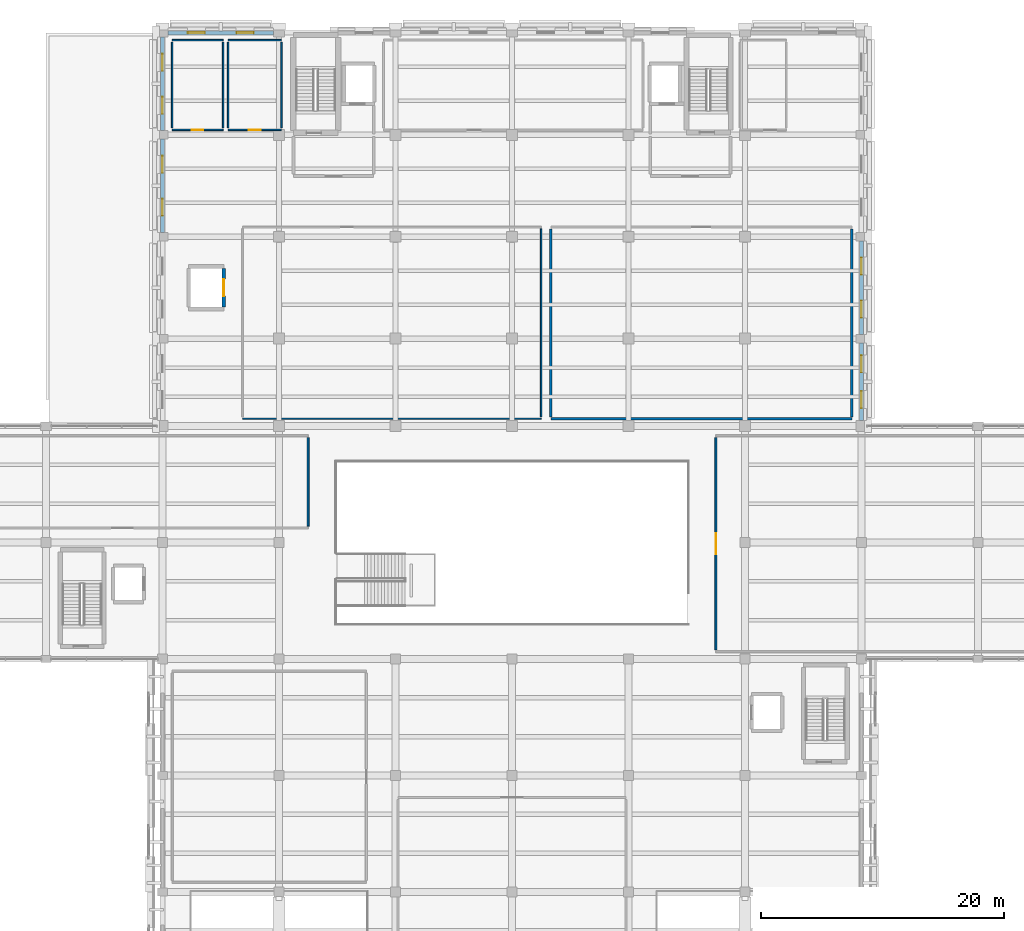
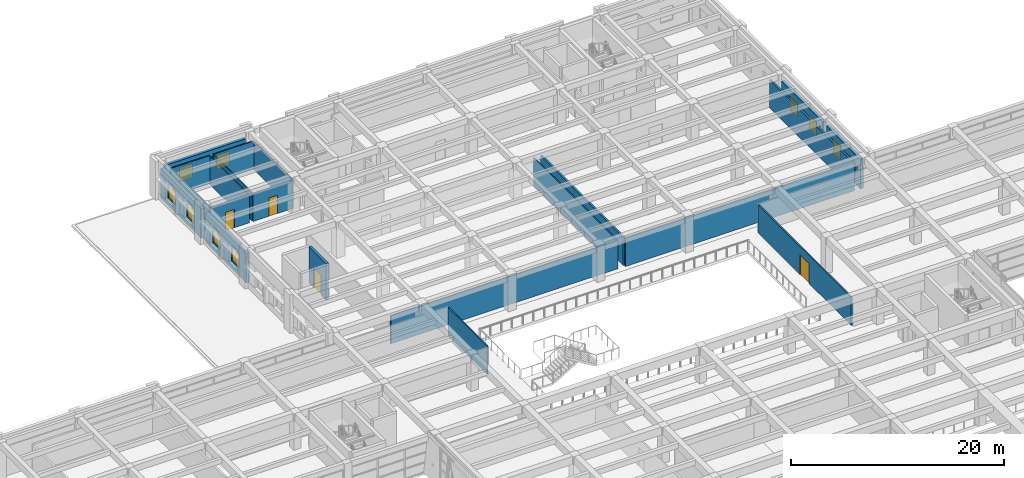
# One storey, part 33 of 49: 21 walls, 10 windows, 4 doors, 14 openings.
"""IFC4 building model written with IfcOpenShell, lengths in metres."""

from ifc_helpers import new_model, si_unit, direction, frame, frame_2d, origin, place, context, subcontext, project, spatial, rectangle, extrude, material, layer, layer_set, type_object, element, fill, save


model = new_model("IFC4")

# Units and contexts
model_context = context("Model", 3, precision=1e-05, world=origin(), true_north=direction((0.0, 1.0)))
body_context = subcontext(model_context, "Body", "Model", "MODEL_VIEW")
ifc_project = project(units=[si_unit("LENGTHUNIT", "METRE"), si_unit("AREAUNIT", "SQUARE_METRE"), si_unit("VOLUMEUNIT", "CUBIC_METRE"), si_unit("PLANEANGLEUNIT", "RADIAN"), si_unit("MASSUNIT", "GRAM", prefix="KILO")], contexts=[model_context])

# Site, building, storey
site_placement = place(None, origin())
site = spatial("IfcSite", under=ifc_project, at=site_placement, CompositionType="ELEMENT")
building_placement = place(site_placement, origin())
building = spatial("IfcBuilding", under=site, at=building_placement, Name="Bempovik Park Faculty of Sciences", CompositionType="ELEMENT")
storey_placement = place(building_placement, frame((0.0, 0.0, 5.39990234375)))
storey = spatial("IfcBuildingStorey", under=building, at=storey_placement, Name="L01", CompositionType="ELEMENT", Elevation=5.39990234375)

# Walls
ifc_material_1 = material(Name="Gypsum acoustic stud assembly")
ifc_layer_1 = layer(ifc_material_1, 0.1201171875)
ifc_layer_set_1 = layer_set([ifc_layer_1], Name="Gypsum acoustic stud assembly")
wall_type_1 = type_object("IfcWallType", Name="W-17 Wall 120mm", PredefinedType="PARTITIONING", material=ifc_layer_set_1)
wall_1_placement = place(storey_placement, frame((66.60009765625, 87.60009765625, 0.0), z_axis=(0.0, 0.0, 1.0), x_axis=(1.0, 0.0, 0.0)))
element("IfcWall", 1, at=wall_1_placement, inside=storey, type_object=wall_type_1, Name="L01 Chemistry Academic Staff Offices Partition South", PredefinedType="PARTITIONING", context=body_context, shape_type="SweptSolid", body=[
    extrude(rectangle(XDim=24.599853515625, YDim=0.1201171875, at=frame_2d((12.2998046875, 0.0))), origin(), (0.0, 0.0, 1.0), 3.22021484375),
])
wall_2_placement = place(storey_placement, frame((91.199951171875, 87.760009765625, 0.0), z_axis=(0.0, 0.0, 1.0), x_axis=(0.0, 1.0, 0.0)))
element("IfcWall", 2, at=wall_2_placement, inside=storey, type_object=wall_type_1, Name="L01 Chemistry Academic Staff Offices Partition East", PredefinedType="PARTITIONING", context=body_context, shape_type="SweptSolid", body=[
    extrude(rectangle(XDim=15.47998046875, YDim=0.1201171875, at=frame_2d((7.739990234375, 0.0))), origin(), (0.0, 0.0, 1.0), 3.22021484375),
])

# Wall, opening, door
wall_3_placement = place(storey_placement, frame((60.800048828125, 111.39990234375, 0.0), z_axis=(0.0, 0.0, 1.0), x_axis=(1.0, 0.0, 0.0)))
wall_3 = element("IfcWall", 3, at=wall_3_placement, inside=storey, type_object=wall_type_1, Name="L01 L01 Male WC Partition South", PredefinedType="PARTITIONING", context=body_context, shape_type="SweptSolid", body=[
    extrude(rectangle(XDim=4.199951171875, YDim=0.1201171875, at=frame_2d((2.10009765625, 0.0))), origin(), (0.0, 0.0, 1.0), 3.22021484375),
])
opening_1_placement = place(wall_3_placement, frame((1.625, 0.0, 0.0)))
opening_1 = element("IfcOpeningElement", 4, at=opening_1_placement, cuts=wall_3, Name="Opening D-56", PredefinedType="OPENING", context=body_context, shape_type="SweptSolid", body=[
    extrude(rectangle(XDim=0.949951171875, YDim=2.10009765625, at=frame_2d((0.47509765625, 1.050048828125))), frame((0.0, 0.070068359375, 0.0), z_axis=(0.0, -1.0, 0.0), x_axis=(1.0, 0.0, 0.0)), (0.0, 0.0, 1.0), 0.14013671875),
])
ifc_material_2 = material(Name="West African hardwood finish", Category="wood")
door_type_1 = type_object("IfcDoorType", Name="D-56 Door 950x2100", OperationType="NOTDEFINED", PredefinedType="DOOR", material=ifc_material_2)
door_1_placement = place(opening_1_placement, origin())
door_1 = element("IfcDoor", 5, at=door_1_placement, inside=storey, type_object=door_type_1, Name="L01 L01 Male WC Door", OperationType="SINGLE_SWING_RIGHT", OverallHeight=2.10009765625, OverallWidth=0.949951171875, PredefinedType="DOOR", context=body_context, shape_type="SweptSolid", body=[
    extrude(rectangle(XDim=0.949951171875, YDim=2.10009765625, at=frame_2d((0.47509765625, 1.050048828125))), frame((0.0, 0.02490234375, 0.0), z_axis=(0.0, -1.0, 0.0), x_axis=(1.0, 0.0, 0.0)), (0.0, 0.0, 1.0), 0.050048828125),
])
fill(opening_1, door_1)

# Walls
wall_4_placement = place(storey_placement, frame((60.800048828125, 118.800048828125, 0.0), z_axis=(0.0, 0.0, 1.0), x_axis=(1.0, 0.0, 0.0)))
element("IfcWall", 6, at=wall_4_placement, inside=storey, type_object=wall_type_1, Name="L01 L01 Male WC Partition North", PredefinedType="PARTITIONING", context=body_context, shape_type="SweptSolid", body=[
    extrude(rectangle(XDim=4.199951171875, YDim=0.1201171875, at=frame_2d((2.10009765625, 0.0))), origin(), (0.0, 0.0, 1.0), 3.22021484375),
])
for number, where, z_axis, x_axis, name in (
    (7, (60.800048828125, 111.56005859375, 0.0), (0.0, 0.0, 1.0), (0.0, 1.0, 0.0), "L01 L01 Male WC Partition West"),
    (8, (65.0, 111.56005859375, 0.0), (0.0, 0.0, 1.0), (0.0, 1.0, 0.0), "L01 L01 Male WC Partition East"),
):
    element("IfcWall", number, at=place(storey_placement, frame(where, z_axis=z_axis, x_axis=x_axis)), inside=storey, type_object=wall_type_1, Name=name, PredefinedType="PARTITIONING", context=body_context, shape_type="SweptSolid", body=[
        extrude(rectangle(XDim=7.079833984375, YDim=0.1201171875, at=frame_2d((3.5400390625, 0.0))), origin(), (0.0, 0.0, 1.0), 3.22021484375),
    ])

# Wall, opening, door
wall_5_placement = place(storey_placement, frame((65.39990234375, 111.39990234375, 0.0), z_axis=(0.0, 0.0, 1.0), x_axis=(1.0, 0.0, 0.0)))
wall_5 = element("IfcWall", 9, at=wall_5_placement, inside=storey, type_object=wall_type_1, Name="L01 L01 Female WC Partition South", PredefinedType="PARTITIONING", context=body_context, shape_type="SweptSolid", body=[
    extrude(rectangle(XDim=4.400146484375, YDim=0.1201171875, at=frame_2d((2.2001953125, 0.0))), origin(), (0.0, 0.0, 1.0), 3.22021484375),
])
opening_2_placement = place(wall_5_placement, frame((1.72509765625, 0.0, 0.0)))
opening_2 = element("IfcOpeningElement", 10, at=opening_2_placement, cuts=wall_5, Name="Opening D-56", PredefinedType="OPENING", context=body_context, shape_type="SweptSolid", body=[
    extrude(rectangle(XDim=0.949951171875, YDim=2.10009765625, at=frame_2d((0.47509765625, 1.050048828125))), frame((0.0, 0.070068359375, 0.0), z_axis=(0.0, -1.0, 0.0), x_axis=(1.0, 0.0, 0.0)), (0.0, 0.0, 1.0), 0.14013671875),
])
door_2_placement = place(opening_2_placement, origin())
door_2 = element("IfcDoor", 11, at=door_2_placement, inside=storey, type_object=door_type_1, Name="L01 L01 Female WC Door", OperationType="SINGLE_SWING_LEFT", OverallHeight=2.10009765625, OverallWidth=0.949951171875, PredefinedType="DOOR", context=body_context, shape_type="SweptSolid", body=[
    extrude(rectangle(XDim=0.949951171875, YDim=2.10009765625, at=frame_2d((0.47509765625, 1.050048828125))), frame((0.0, 0.02490234375, 0.0), z_axis=(0.0, -1.0, 0.0), x_axis=(1.0, 0.0, 0.0)), (0.0, 0.0, 1.0), 0.050048828125),
])
fill(opening_2, door_2)

# Walls
wall_6_placement = place(storey_placement, frame((65.39990234375, 118.800048828125, 0.0), z_axis=(0.0, 0.0, 1.0), x_axis=(1.0, 0.0, 0.0)))
element("IfcWall", 12, at=wall_6_placement, inside=storey, type_object=wall_type_1, Name="L01 L01 Female WC Partition North", PredefinedType="PARTITIONING", context=body_context, shape_type="SweptSolid", body=[
    extrude(rectangle(XDim=4.400146484375, YDim=0.1201171875, at=frame_2d((2.2001953125, 0.0))), origin(), (0.0, 0.0, 1.0), 3.22021484375),
])
for number, where, z_axis, x_axis, name in (
    (13, (65.39990234375, 111.56005859375, 0.0), (0.0, 0.0, 1.0), (0.0, 1.0, 0.0), "L01 L01 Female WC Partition West"),
    (14, (69.800048828125, 111.56005859375, 0.0), (0.0, 0.0, 1.0), (0.0, 1.0, 0.0), "L01 L01 Female WC Partition East"),
):
    element("IfcWall", number, at=place(storey_placement, frame(where, z_axis=z_axis, x_axis=x_axis)), inside=storey, type_object=wall_type_1, Name=name, PredefinedType="PARTITIONING", context=body_context, shape_type="SweptSolid", body=[
        extrude(rectangle(XDim=7.079833984375, YDim=0.1201171875, at=frame_2d((3.5400390625, 0.0))), origin(), (0.0, 0.0, 1.0), 3.22021484375),
    ])

# Wall, opening, door
ifc_material_3 = material(Name="Concrete C40/50", Category="concrete")
ifc_layer_2 = layer(ifc_material_3, 0.300048828125)
ifc_layer_set_2 = layer_set([ifc_layer_2], Name="Concrete C40/50")
wall_type_2 = type_object("IfcWallType", Name="W-31 Wall 300mm", PredefinedType="SHEAR", material=ifc_layer_set_2)
wall_7_placement = place(storey_placement, frame((65.050048828125, 96.800048828125, 0.0), z_axis=(0.0, 0.0, 1.0), x_axis=(0.0, 1.0, 0.0)))
wall_7 = element("IfcWall", 15, at=wall_7_placement, inside=storey, type_object=wall_type_2, Name="Lift LF-5 L01 Shaft Wall East", PredefinedType="SHEAR", context=body_context, shape_type="SweptSolid", body=[
    extrude(rectangle(XDim=3.199951171875, YDim=0.300048828125, at=frame_2d((1.60009765625, 0.0))), origin(), (0.0, 0.0, 1.0), 4.18017578125),
])
opening_3_placement = place(wall_7_placement, frame((0.89990234375, 0.0, 0.0)))
opening_3 = element("IfcOpeningElement", 16, at=opening_3_placement, cuts=wall_7, Name="Opening LD-03", PredefinedType="OPENING", context=body_context, shape_type="SweptSolid", body=[
    extrude(rectangle(XDim=1.39990234375, YDim=2.300048828125, at=frame_2d((0.699951171875, 1.14990234375))), frame((0.0, 0.16015625, 0.0), z_axis=(0.0, -1.0, 0.0), x_axis=(1.0, 0.0, 0.0)), (0.0, 0.0, 1.0), 0.320068359375),
])
ifc_material_4 = material(Name="Painted steel S355", Category="steel")
door_type_2 = type_object("IfcDoorType", Name="LD-03 Door 1400x2300", OperationType="NOTDEFINED", PredefinedType="DOOR", material=ifc_material_4)
door_3_placement = place(opening_3_placement, origin())
door_3 = element("IfcDoor", 17, at=door_3_placement, inside=storey, type_object=door_type_2, Name="Lift LF-5 L01 Sliding Landing Door", OperationType="SLIDING_TO_LEFT", OverallHeight=2.300048828125, OverallWidth=1.39990234375, PredefinedType="DOOR", context=body_context, shape_type="SweptSolid", body=[
    extrude(rectangle(XDim=1.39990234375, YDim=2.300048828125, at=frame_2d((0.699951171875, 1.14990234375))), frame((0.0, 0.02490234375, 0.0), z_axis=(0.0, -1.0, 0.0), x_axis=(1.0, 0.0, 0.0)), (0.0, 0.0, 1.0), 0.050048828125),
])
fill(opening_3, door_3)

# Wall
ifc_layer_3 = layer(ifc_material_1, 0.14990234375)
ifc_layer_set_3 = layer_set([ifc_layer_3], Name="Gypsum acoustic stud assembly")
wall_type_3 = type_object("IfcWallType", Name="W-42 Wall 150mm", PredefinedType="PARTITIONING", material=ifc_layer_set_3)
wall_8_placement = place(storey_placement, frame((72.0, 78.760009765625, 0.0), z_axis=(0.0, 0.0, 1.0), x_axis=(0.0, 1.0, 0.0)))
element("IfcWall", 18, at=wall_8_placement, inside=storey, type_object=wall_type_3, Name="L01 Atrium Concourse Study Gallery West Partition East", PredefinedType="PARTITIONING", context=body_context, shape_type="SweptSolid", body=[
    extrude(rectangle(XDim=7.280029296875, YDim=0.14990234375, at=frame_2d((3.64013671875, 0.0))), origin(), (0.0, 0.0, 1.0), 3.22021484375),
])

# Wall, opening, door
wall_9_placement = place(storey_placement, frame((105.60009765625, 68.56005859375, 0.0), z_axis=(0.0, 0.0, 1.0), x_axis=(0.0, 1.0, 0.0)))
wall_9 = element("IfcWall", 19, at=wall_9_placement, inside=storey, type_object=wall_type_3, Name="L01 Atrium Concourse Study Gallery East Partition West", PredefinedType="PARTITIONING", context=body_context, shape_type="SweptSolid", body=[
    extrude(rectangle(XDim=17.47998046875, YDim=0.14990234375, at=frame_2d((8.739990234375, 0.0))), origin(), (0.0, 0.0, 1.0), 3.22021484375),
])
opening_4_placement = place(wall_9_placement, frame((7.889892578125, 0.0, 0.0)))
opening_4 = element("IfcOpeningElement", 20, at=opening_4_placement, cuts=wall_9, Name="Opening D-40", PredefinedType="OPENING", context=body_context, shape_type="SweptSolid", body=[
    extrude(rectangle(XDim=1.699951171875, YDim=2.300048828125, at=frame_2d((0.85009765625, 1.14990234375))), frame((0.0, 0.0849609375, 0.0), z_axis=(0.0, -1.0, 0.0), x_axis=(1.0, 0.0, 0.0)), (0.0, 0.0, 1.0), 0.169921875),
])
ifc_material_5 = material(Name="Anodised architectural bronze")
door_type_3 = type_object("IfcDoorType", Name="D-40 Door 1700x2300", OperationType="NOTDEFINED", PredefinedType="DOOR", material=ifc_material_5)
door_4_placement = place(opening_4_placement, origin())
door_4 = element("IfcDoor", 21, at=door_4_placement, inside=storey, type_object=door_type_3, Name="L01 Atrium Concourse Study Gallery East Door", OperationType="DOUBLE_DOOR_SINGLE_SWING", OverallHeight=2.300048828125, OverallWidth=1.699951171875, PredefinedType="DOOR", context=body_context, shape_type="SweptSolid", body=[
    extrude(rectangle(XDim=1.699951171875, YDim=2.300048828125, at=frame_2d((0.85009765625, 1.14990234375))), frame((0.0, 0.02490234375, 0.0), z_axis=(0.0, -1.0, 0.0), x_axis=(1.0, 0.0, 0.0)), (0.0, 0.0, 1.0), 0.050048828125),
])
fill(opening_4, door_4)

# Wall, openings, windows
ifc_material_6 = material(Name="Precast concrete C40/50", Category="concrete")
ifc_layer_4 = layer(ifc_material_6, 0.320068359375)
ifc_layer_set_4 = layer_set([ifc_layer_4], Name="Precast concrete C40/50")
wall_type_4 = type_object("IfcWallType", Name="W-56 Wall 320mm", PredefinedType="SOLIDWALL", material=ifc_layer_set_4)
wall_10_placement = place(storey_placement, frame((60.0, 102.951904296875, 0.0), z_axis=(0.0, 0.0, 1.0), x_axis=(0.0, 1.0, 0.0)))
wall_10 = element("IfcWall", 22, at=wall_10_placement, inside=storey, type_object=wall_type_4, Name="L01 Classical Precast Facade Wall EW-L01-6642", PredefinedType="SOLIDWALL", context=body_context, shape_type="SweptSolid", body=[
    extrude(rectangle(XDim=7.696044921875, YDim=0.320068359375, at=frame_2d((3.84814453125, 0.0))), origin(), (0.0, 0.0, 1.0), 3.380126953125),
])
opening_5_placement = place(wall_10_placement, frame((1.3779296875, 0.0, 0.85009765625)))
opening_5 = element("IfcOpeningElement", 23, at=opening_5_placement, cuts=wall_10, Name="Opening WN-84", PredefinedType="OPENING", context=body_context, shape_type="SweptSolid", body=[
    extrude(rectangle(XDim=1.39990234375, YDim=1.64990234375, at=frame_2d((0.699951171875, 0.824951171875))), frame((0.0, 0.169921875, 0.0), z_axis=(0.0, -1.0, 0.0), x_axis=(1.0, 0.0, 0.0)), (0.0, 0.0, 1.0), 0.340087890625),
])
opening_6_placement = place(wall_10_placement, frame((4.918212890625, 0.0, 0.85009765625)))
opening_6 = element("IfcOpeningElement", 24, at=opening_6_placement, cuts=wall_10, Name="Opening WN-84", PredefinedType="OPENING", context=body_context, shape_type="SweptSolid", body=[
    extrude(rectangle(XDim=1.39990234375, YDim=1.64990234375, at=frame_2d((0.699951171875, 0.824951171875))), frame((0.0, 0.169921875, 0.0), z_axis=(0.0, -1.0, 0.0), x_axis=(1.0, 0.0, 0.0)), (0.0, 0.0, 1.0), 0.340087890625),
])
ifc_material_7 = material(Name="Tempered laminated low-E glass", Category="glass")
window_type = type_object("IfcWindowType", Name="WN-84 Window 1400x1650", PartitioningType="SINGLE_PANEL", PredefinedType="WINDOW", material=ifc_material_7)
window_1_placement = place(opening_5_placement, origin())
window_1 = element("IfcWindow", 25, at=window_1_placement, inside=storey, type_object=window_type, Name="L01 Window EW-L01-6642-1", OverallHeight=1.64990234375, OverallWidth=1.39990234375, PartitioningType="SINGLE_PANEL", PredefinedType="WINDOW", context=body_context, shape_type="SweptSolid", body=[
    extrude(rectangle(XDim=1.39990234375, YDim=1.64990234375, at=frame_2d((0.699951171875, 0.824951171875))), frame((0.0, 0.030029296875, 0.0), z_axis=(0.0, -1.0, 0.0), x_axis=(1.0, 0.0, 0.0)), (0.0, 0.0, 1.0), 0.06005859375),
])
fill(opening_5, window_1)
window_2_placement = place(opening_6_placement, origin())
window_2 = element("IfcWindow", 26, at=window_2_placement, inside=storey, type_object=window_type, Name="L01 Window EW-L01-6642-2", OverallHeight=1.64990234375, OverallWidth=1.39990234375, PartitioningType="SINGLE_PANEL", PredefinedType="WINDOW", context=body_context, shape_type="SweptSolid", body=[
    extrude(rectangle(XDim=1.39990234375, YDim=1.64990234375, at=frame_2d((0.699951171875, 0.824951171875))), frame((0.0, 0.030029296875, 0.0), z_axis=(0.0, -1.0, 0.0), x_axis=(1.0, 0.0, 0.0)), (0.0, 0.0, 1.0), 0.06005859375),
])
fill(opening_6, window_2)

wall_11_placement = place(storey_placement, frame((60.0, 111.35205078125, 0.0), z_axis=(0.0, 0.0, 1.0), x_axis=(0.0, 1.0, 0.0)))
wall_11 = element("IfcWall", 27, at=wall_11_placement, inside=storey, type_object=wall_type_4, Name="L01 Classical Precast Facade Wall EW-L01-6654", PredefinedType="SOLIDWALL", context=body_context, shape_type="SweptSolid", body=[
    extrude(rectangle(XDim=7.696044921875, YDim=0.320068359375, at=frame_2d((3.84814453125, 0.0))), origin(), (0.0, 0.0, 1.0), 3.380126953125),
])
opening_7_placement = place(wall_11_placement, frame((1.3779296875, 0.0, 0.85009765625)))
opening_7 = element("IfcOpeningElement", 28, at=opening_7_placement, cuts=wall_11, Name="Opening WN-84", PredefinedType="OPENING", context=body_context, shape_type="SweptSolid", body=[
    extrude(rectangle(XDim=1.39990234375, YDim=1.64990234375, at=frame_2d((0.699951171875, 0.824951171875))), frame((0.0, 0.169921875, 0.0), z_axis=(0.0, -1.0, 0.0), x_axis=(1.0, 0.0, 0.0)), (0.0, 0.0, 1.0), 0.340087890625),
])
opening_8_placement = place(wall_11_placement, frame((4.918212890625, 0.0, 0.85009765625)))
opening_8 = element("IfcOpeningElement", 29, at=opening_8_placement, cuts=wall_11, Name="Opening WN-84", PredefinedType="OPENING", context=body_context, shape_type="SweptSolid", body=[
    extrude(rectangle(XDim=1.39990234375, YDim=1.64990234375, at=frame_2d((0.699951171875, 0.824951171875))), frame((0.0, 0.169921875, 0.0), z_axis=(0.0, -1.0, 0.0), x_axis=(1.0, 0.0, 0.0)), (0.0, 0.0, 1.0), 0.340087890625),
])
window_3_placement = place(opening_7_placement, origin())
window_3 = element("IfcWindow", 30, at=window_3_placement, inside=storey, type_object=window_type, Name="L01 Window EW-L01-6654-1", OverallHeight=1.64990234375, OverallWidth=1.39990234375, PartitioningType="SINGLE_PANEL", PredefinedType="WINDOW", context=body_context, shape_type="SweptSolid", body=[
    extrude(rectangle(XDim=1.39990234375, YDim=1.64990234375, at=frame_2d((0.699951171875, 0.824951171875))), frame((0.0, 0.030029296875, 0.0), z_axis=(0.0, -1.0, 0.0), x_axis=(1.0, 0.0, 0.0)), (0.0, 0.0, 1.0), 0.06005859375),
])
fill(opening_7, window_3)
window_4_placement = place(opening_8_placement, origin())
window_4 = element("IfcWindow", 31, at=window_4_placement, inside=storey, type_object=window_type, Name="L01 Window EW-L01-6654-2", OverallHeight=1.64990234375, OverallWidth=1.39990234375, PartitioningType="SINGLE_PANEL", PredefinedType="WINDOW", context=body_context, shape_type="SweptSolid", body=[
    extrude(rectangle(XDim=1.39990234375, YDim=1.64990234375, at=frame_2d((0.699951171875, 0.824951171875))), frame((0.0, 0.030029296875, 0.0), z_axis=(0.0, -1.0, 0.0), x_axis=(1.0, 0.0, 0.0)), (0.0, 0.0, 1.0), 0.06005859375),
])
fill(opening_8, window_4)

wall_12_placement = place(storey_placement, frame((60.451904296875, 119.39990234375, 0.0), z_axis=(0.0, 0.0, 1.0), x_axis=(1.0, 0.0, 0.0)))
wall_12 = element("IfcWall", 32, at=wall_12_placement, inside=storey, type_object=wall_type_4, Name="L01 Classical Precast Facade Wall EW-L01-6666", PredefinedType="SOLIDWALL", context=body_context, shape_type="SweptSolid", body=[
    extrude(rectangle(XDim=8.696044921875, YDim=0.320068359375, at=frame_2d((4.34814453125, 0.0))), origin(), (0.0, 0.0, 1.0), 3.380126953125),
])
opening_9_placement = place(wall_12_placement, frame((1.64794921875, 0.0, 0.85009765625)))
opening_9 = element("IfcOpeningElement", 33, at=opening_9_placement, cuts=wall_12, Name="Opening WN-84", PredefinedType="OPENING", context=body_context, shape_type="SweptSolid", body=[
    extrude(rectangle(XDim=1.39990234375, YDim=1.64990234375, at=frame_2d((0.699951171875, 0.824951171875))), frame((0.0, 0.169921875, 0.0), z_axis=(0.0, -1.0, 0.0), x_axis=(1.0, 0.0, 0.0)), (0.0, 0.0, 1.0), 0.340087890625),
])
opening_10_placement = place(wall_12_placement, frame((5.648193359375, 0.0, 0.85009765625)))
opening_10 = element("IfcOpeningElement", 34, at=opening_10_placement, cuts=wall_12, Name="Opening WN-84", PredefinedType="OPENING", context=body_context, shape_type="SweptSolid", body=[
    extrude(rectangle(XDim=1.39990234375, YDim=1.64990234375, at=frame_2d((0.699951171875, 0.824951171875))), frame((0.0, 0.169921875, 0.0), z_axis=(0.0, -1.0, 0.0), x_axis=(1.0, 0.0, 0.0)), (0.0, 0.0, 1.0), 0.340087890625),
])
window_5_placement = place(opening_9_placement, origin())
window_5 = element("IfcWindow", 35, at=window_5_placement, inside=storey, type_object=window_type, Name="L01 Window EW-L01-6666-1", OverallHeight=1.64990234375, OverallWidth=1.39990234375, PartitioningType="SINGLE_PANEL", PredefinedType="WINDOW", context=body_context, shape_type="SweptSolid", body=[
    extrude(rectangle(XDim=1.39990234375, YDim=1.64990234375, at=frame_2d((0.699951171875, 0.824951171875))), frame((0.0, 0.030029296875, 0.0), z_axis=(0.0, -1.0, 0.0), x_axis=(1.0, 0.0, 0.0)), (0.0, 0.0, 1.0), 0.06005859375),
])
fill(opening_9, window_5)
window_6_placement = place(opening_10_placement, origin())
window_6 = element("IfcWindow", 36, at=window_6_placement, inside=storey, type_object=window_type, Name="L01 Window EW-L01-6666-2", OverallHeight=1.64990234375, OverallWidth=1.39990234375, PartitioningType="SINGLE_PANEL", PredefinedType="WINDOW", context=body_context, shape_type="SweptSolid", body=[
    extrude(rectangle(XDim=1.39990234375, YDim=1.64990234375, at=frame_2d((0.699951171875, 0.824951171875))), frame((0.0, 0.030029296875, 0.0), z_axis=(0.0, -1.0, 0.0), x_axis=(1.0, 0.0, 0.0)), (0.0, 0.0, 1.0), 0.06005859375),
])
fill(opening_10, window_6)

wall_13_placement = place(storey_placement, frame((117.60009765625, 87.451904296875, 0.0), z_axis=(0.0, 0.0, 1.0), x_axis=(0.0, 1.0, 0.0)))
wall_13 = element("IfcWall", 37, at=wall_13_placement, inside=storey, type_object=wall_type_4, Name="L01 Classical Precast Facade Wall EW-L01-6725", PredefinedType="SOLIDWALL", context=body_context, shape_type="SweptSolid", body=[
    extrude(rectangle(XDim=6.39599609375, YDim=0.320068359375, at=frame_2d((3.197998046875, 0.0))), origin(), (0.0, 0.0, 1.0), 3.380126953125),
])
opening_11_placement = place(wall_13_placement, frame((1.02685546875, 0.0, 0.85009765625)))
opening_11 = element("IfcOpeningElement", 38, at=opening_11_placement, cuts=wall_13, Name="Opening WN-84", PredefinedType="OPENING", context=body_context, shape_type="SweptSolid", body=[
    extrude(rectangle(XDim=1.39990234375, YDim=1.64990234375, at=frame_2d((0.699951171875, 0.824951171875))), frame((0.0, 0.169921875, 0.0), z_axis=(0.0, -1.0, 0.0), x_axis=(1.0, 0.0, 0.0)), (0.0, 0.0, 1.0), 0.340087890625),
])
opening_12_placement = place(wall_13_placement, frame((3.968994140625, 0.0, 0.85009765625)))
opening_12 = element("IfcOpeningElement", 39, at=opening_12_placement, cuts=wall_13, Name="Opening WN-84", PredefinedType="OPENING", context=body_context, shape_type="SweptSolid", body=[
    extrude(rectangle(XDim=1.39990234375, YDim=1.64990234375, at=frame_2d((0.699951171875, 0.824951171875))), frame((0.0, 0.169921875, 0.0), z_axis=(0.0, -1.0, 0.0), x_axis=(1.0, 0.0, 0.0)), (0.0, 0.0, 1.0), 0.340087890625),
])
window_7_placement = place(opening_11_placement, origin())
window_7 = element("IfcWindow", 40, at=window_7_placement, inside=storey, type_object=window_type, Name="L01 Window EW-L01-6725-1", OverallHeight=1.64990234375, OverallWidth=1.39990234375, PartitioningType="SINGLE_PANEL", PredefinedType="WINDOW", context=body_context, shape_type="SweptSolid", body=[
    extrude(rectangle(XDim=1.39990234375, YDim=1.64990234375, at=frame_2d((0.699951171875, 0.824951171875))), frame((0.0, 0.030029296875, 0.0), z_axis=(0.0, -1.0, 0.0), x_axis=(1.0, 0.0, 0.0)), (0.0, 0.0, 1.0), 0.06005859375),
])
fill(opening_11, window_7)
window_8_placement = place(opening_12_placement, origin())
window_8 = element("IfcWindow", 41, at=window_8_placement, inside=storey, type_object=window_type, Name="L01 Window EW-L01-6725-2", OverallHeight=1.64990234375, OverallWidth=1.39990234375, PartitioningType="SINGLE_PANEL", PredefinedType="WINDOW", context=body_context, shape_type="SweptSolid", body=[
    extrude(rectangle(XDim=1.39990234375, YDim=1.64990234375, at=frame_2d((0.699951171875, 0.824951171875))), frame((0.0, 0.030029296875, 0.0), z_axis=(0.0, -1.0, 0.0), x_axis=(1.0, 0.0, 0.0)), (0.0, 0.0, 1.0), 0.06005859375),
])
fill(opening_12, window_8)

wall_14_placement = place(storey_placement, frame((117.60009765625, 94.552001953125, 0.0), z_axis=(0.0, 0.0, 1.0), x_axis=(0.0, 1.0, 0.0)))
wall_14 = element("IfcWall", 42, at=wall_14_placement, inside=storey, type_object=wall_type_4, Name="L01 Classical Precast Facade Wall EW-L01-6738", PredefinedType="SOLIDWALL", context=body_context, shape_type="SweptSolid", body=[
    extrude(rectangle(XDim=7.696044921875, YDim=0.320068359375, at=frame_2d((3.84814453125, 0.0))), origin(), (0.0, 0.0, 1.0), 3.380126953125),
])
opening_13_placement = place(wall_14_placement, frame((1.3779296875, 0.0, 0.85009765625)))
opening_13 = element("IfcOpeningElement", 43, at=opening_13_placement, cuts=wall_14, Name="Opening WN-84", PredefinedType="OPENING", context=body_context, shape_type="SweptSolid", body=[
    extrude(rectangle(XDim=1.39990234375, YDim=1.64990234375, at=frame_2d((0.699951171875, 0.824951171875))), frame((0.0, 0.169921875, 0.0), z_axis=(0.0, -1.0, 0.0), x_axis=(1.0, 0.0, 0.0)), (0.0, 0.0, 1.0), 0.340087890625),
])
opening_14_placement = place(wall_14_placement, frame((4.918212890625, 0.0, 0.85009765625)))
opening_14 = element("IfcOpeningElement", 44, at=opening_14_placement, cuts=wall_14, Name="Opening WN-84", PredefinedType="OPENING", context=body_context, shape_type="SweptSolid", body=[
    extrude(rectangle(XDim=1.39990234375, YDim=1.64990234375, at=frame_2d((0.699951171875, 0.824951171875))), frame((0.0, 0.169921875, 0.0), z_axis=(0.0, -1.0, 0.0), x_axis=(1.0, 0.0, 0.0)), (0.0, 0.0, 1.0), 0.340087890625),
])
window_9_placement = place(opening_13_placement, origin())
window_9 = element("IfcWindow", 45, at=window_9_placement, inside=storey, type_object=window_type, Name="L01 Window EW-L01-6738-1", OverallHeight=1.64990234375, OverallWidth=1.39990234375, PartitioningType="SINGLE_PANEL", PredefinedType="WINDOW", context=body_context, shape_type="SweptSolid", body=[
    extrude(rectangle(XDim=1.39990234375, YDim=1.64990234375, at=frame_2d((0.699951171875, 0.824951171875))), frame((0.0, 0.030029296875, 0.0), z_axis=(0.0, -1.0, 0.0), x_axis=(1.0, 0.0, 0.0)), (0.0, 0.0, 1.0), 0.06005859375),
])
fill(opening_13, window_9)
window_10_placement = place(opening_14_placement, origin())
window_10 = element("IfcWindow", 46, at=window_10_placement, inside=storey, type_object=window_type, Name="L01 Window EW-L01-6738-2", OverallHeight=1.64990234375, OverallWidth=1.39990234375, PartitioningType="SINGLE_PANEL", PredefinedType="WINDOW", context=body_context, shape_type="SweptSolid", body=[
    extrude(rectangle(XDim=1.39990234375, YDim=1.64990234375, at=frame_2d((0.699951171875, 0.824951171875))), frame((0.0, 0.030029296875, 0.0), z_axis=(0.0, -1.0, 0.0), x_axis=(1.0, 0.0, 0.0)), (0.0, 0.0, 1.0), 0.06005859375),
])
fill(opening_14, window_10)

# Walls
ifc_material_8 = material(Name="Concrete C35/45", Category="concrete")
ifc_layer_5 = layer(ifc_material_8, 0.199951171875)
ifc_layer_set_5 = layer_set([ifc_layer_5], Name="Concrete C35/45")
wall_type_5 = type_object("IfcWallType", Name="W-59 Wall 200mm", PredefinedType="PARTITIONING", material=ifc_layer_set_5)
wall_15_placement = place(storey_placement, frame((92.0, 87.60009765625, 0.0), z_axis=(0.0, 0.0, 1.0), x_axis=(1.0, 0.0, 0.0)))
element("IfcWall", 47, at=wall_15_placement, inside=storey, type_object=wall_type_5, Name="L01 Biochemistry Research Laboratory Partition South", PredefinedType="PARTITIONING", context=body_context, shape_type="SweptSolid", body=[
    extrude(rectangle(XDim=24.800048828125, YDim=0.199951171875, at=frame_2d((12.39990234375, 0.0))), origin(), (0.0, 0.0, 1.0), 3.22021484375),
])
for number, where, z_axis, x_axis, name in (
    (48, (92.0, 87.760009765625, 0.0), (0.0, 0.0, 1.0), (0.0, 1.0, 0.0), "L01 Biochemistry Research Laboratory Partition West"),
    (49, (116.800048828125, 87.760009765625, 0.0), (0.0, 0.0, 1.0), (0.0, 1.0, 0.0), "L01 Biochemistry Research Laboratory Partition East"),
):
    element("IfcWall", number, at=place(storey_placement, frame(where, z_axis=z_axis, x_axis=x_axis)), inside=storey, type_object=wall_type_5, Name=name, PredefinedType="PARTITIONING", context=body_context, shape_type="SweptSolid", body=[
        extrude(rectangle(XDim=15.47998046875, YDim=0.199951171875, at=frame_2d((7.739990234375, 0.0))), origin(), (0.0, 0.0, 1.0), 3.22021484375),
    ])

save(model, "model.ifc")
